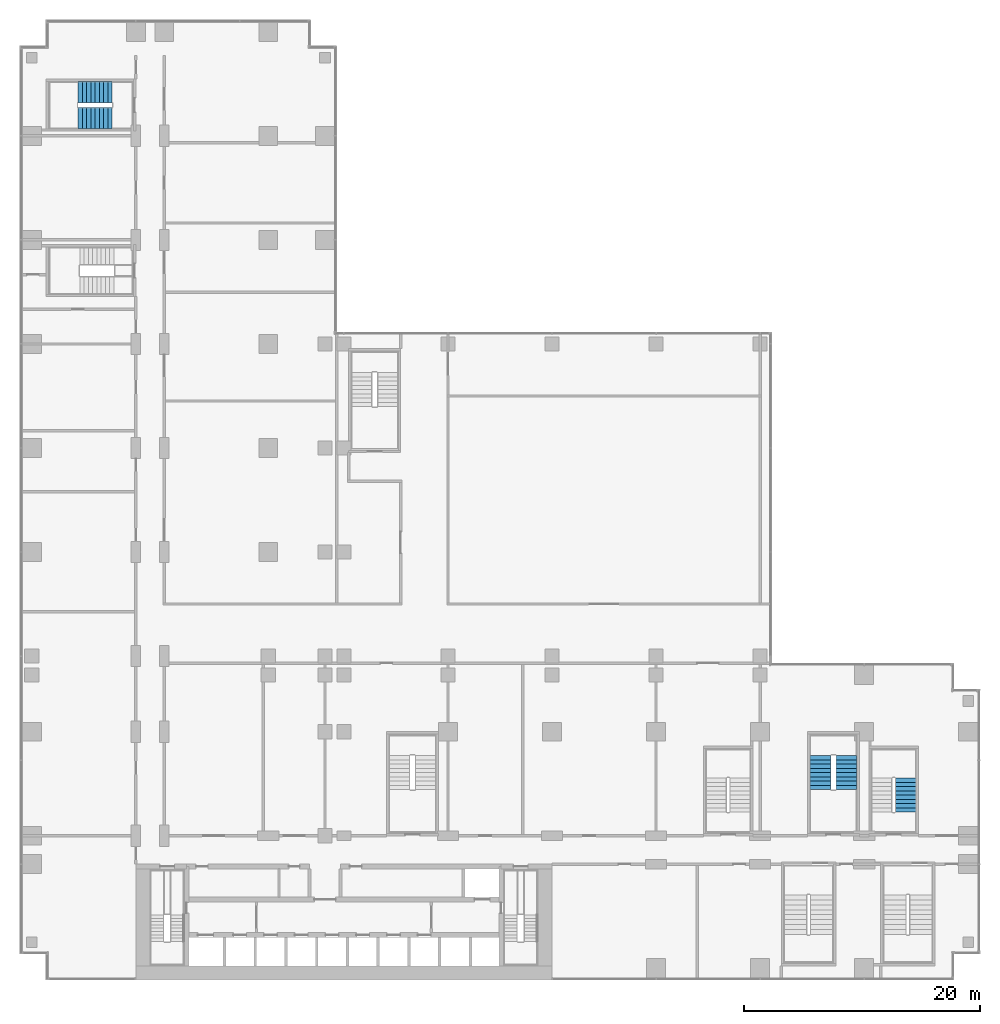
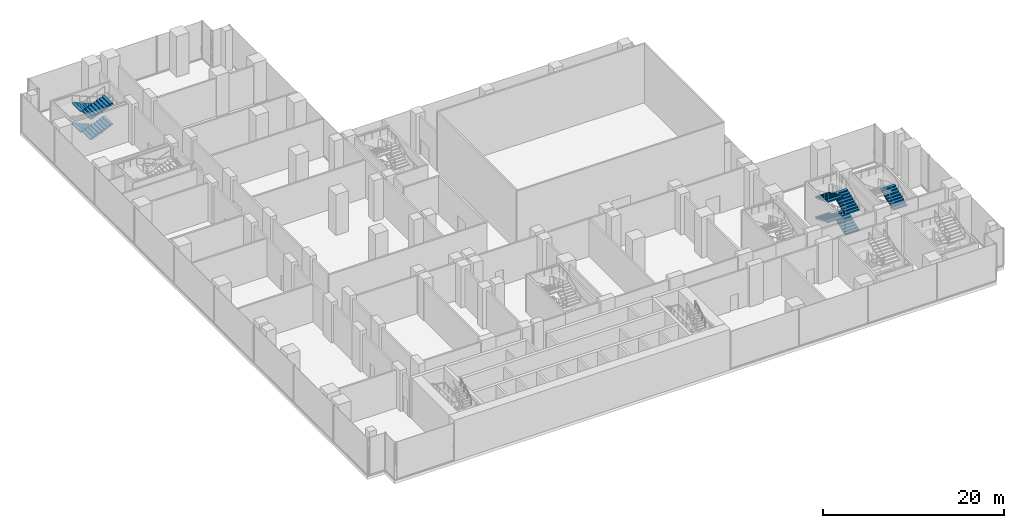
# One storey, part 24 of 30: 9 stair flights, 3 elements without a shape of their own.
"""IFC4 building model written with IfcOpenShell, lengths in metres."""

from ifc_helpers import new_model, si_unit, direction, frame, origin, place, context, subcontext, project, spatial, polyline, outline, extrude, material, type_object, element, aggregate, save


model = new_model("IFC4")

# Units and contexts
model_context = context("Model", 3, precision=1e-05, world=origin(), true_north=direction((0.0, 1.0)))
body_context = subcontext(model_context, "Body", "Model", "MODEL_VIEW")
ifc_project = project(units=[si_unit("LENGTHUNIT", "METRE"), si_unit("AREAUNIT", "SQUARE_METRE"), si_unit("VOLUMEUNIT", "CUBIC_METRE"), si_unit("PLANEANGLEUNIT", "RADIAN"), si_unit("MASSUNIT", "GRAM", prefix="KILO")], contexts=[model_context])

# Site, building, storey
site_placement = place(None, origin())
site = spatial("IfcSite", under=ifc_project, at=site_placement, CompositionType="ELEMENT")
building_placement = place(site_placement, origin())
building = spatial("IfcBuilding", under=site, at=building_placement, Name="Kemantara Hotel Tower", CompositionType="ELEMENT")
storey_placement = place(building_placement, frame((0.0, 0.0, 18.0)))
storey = spatial("IfcBuildingStorey", under=building, at=storey_placement, Name="L03", CompositionType="ELEMENT", Elevation=18.0)

# Stair, stair flight
ifc_material = material(Name="Concrete fc 40 MPa", Category="concrete")
stair_type = type_object("IfcStairType", Name="Stair 1800 wide 36 risers of 153 x 360 mm", PredefinedType="HALF_TURN_STAIR", material=ifc_material)
stair_1_placement = place(storey_placement, origin())
stair_1 = element("IfcStair", 1, at=stair_1_placement, inside=storey, type_object=stair_type, Name="L03 Exit stair ST5", PredefinedType="HALF_TURN_STAIR")
stair_flight_type = type_object("IfcStairFlightType", Name="Stair flight 1800 wide 153 x 360 mm", PredefinedType="STRAIGHT", material=ifc_material)
stair_flight_1_placement = place(storey_placement, frame((74.89990234375, 14.199951171875, 2.75), z_axis=(0.0, 0.0, 1.0), x_axis=(0.0, 1.0, 0.0)))
stair_flight_1 = element("IfcStairFlight", 2, at=stair_flight_1_placement, type_object=stair_flight_type, Name="ST5 flight 3", NumberOfRisers=9, NumberOfTreads=8, PredefinedType="STRAIGHT", RiserHeight=0.152777778, TreadLength=0.36, context=body_context, shape_type="SweptSolid", body=[
    extrude(outline(polyline([(0.0, 0.0), (0.0, 0.15283203125), (0.360107421875, 0.15283203125), (0.360107421875, 0.3056640625), (0.719970703125, 0.3056640625), (0.719970703125, 0.458251953125), (1.080078125, 0.458251953125), (1.080078125, 0.611083984375), (1.43994140625, 0.611083984375), (1.43994140625, 0.763916015625), (1.800048828125, 0.763916015625), (1.800048828125, 0.916748046875), (2.159912109375, 0.916748046875), (2.159912109375, 1.0693359375), (2.52001953125, 1.0693359375), (2.52001953125, 1.22216796875), (2.8798828125, 1.22216796875), (2.8798828125, 1.375), (2.8798828125, 1.059326171875), (0.3837890625, 0.0), (0.0, 0.0)])), frame((0.0, 0.89990234375, 0.0), z_axis=(0.0, -1.0, 0.0), x_axis=(1.0, 0.0, 0.0)), (0.0, 0.0, 1.0), 1.800048828125),
])
aggregate(stair_1, [stair_flight_1])

# Stair, stair flights
stair_2_placement = place(storey_placement, origin())
stair_2 = element("IfcStair", 3, at=stair_2_placement, inside=storey, type_object=stair_type, Name="L03 Exit stair ST6", PredefinedType="HALF_TURN_STAIR")
stair_flight_2_placement = place(storey_placement, frame((7.800048828125, 75.10009765625, 0.0), z_axis=(0.0, 0.0, 1.0), x_axis=(-1.0, 0.0, 0.0)))
stair_flight_2 = element("IfcStairFlight", 4, at=stair_flight_2_placement, type_object=stair_flight_type, Name="ST6 flight 1", NumberOfRisers=9, NumberOfTreads=8, PredefinedType="STRAIGHT", RiserHeight=0.152777778, TreadLength=0.36, context=body_context, shape_type="SweptSolid", body=[
    extrude(outline(polyline([(0.0, 0.0), (0.0, 0.15283203125), (0.360107421875, 0.15283203125), (0.360107421875, 0.3056640625), (0.719970703125, 0.3056640625), (0.719970703125, 0.458251953125), (1.080078125, 0.458251953125), (1.080078125, 0.611083984375), (1.43994140625, 0.611083984375), (1.43994140625, 0.763916015625), (1.800048828125, 0.763916015625), (1.800048828125, 0.916748046875), (2.159912109375, 0.916748046875), (2.159912109375, 1.0693359375), (2.52001953125, 1.0693359375), (2.52001953125, 1.22216796875), (2.8798828125, 1.22216796875), (2.8798828125, 1.375), (2.8798828125, 1.059326171875), (0.3837890625, 0.0), (0.0, 0.0)])), frame((0.0, 0.89990234375, 0.0), z_axis=(0.0, -1.0, 0.0), x_axis=(1.0, 0.0, 0.0)), (0.0, 0.0, 1.0), 1.800048828125),
])
stair_flight_3_placement = place(storey_placement, frame((4.919921875, 72.89990234375, 1.375), z_axis=(0.0, 0.0, 1.0), x_axis=(1.0, 0.0, 0.0)))
stair_flight_3 = element("IfcStairFlight", 5, at=stair_flight_3_placement, type_object=stair_flight_type, Name="ST6 flight 2", NumberOfRisers=9, NumberOfTreads=8, PredefinedType="STRAIGHT", RiserHeight=0.152777778, TreadLength=0.36, context=body_context, shape_type="SweptSolid", body=[
    extrude(outline(polyline([(0.0, 0.0), (0.0, 0.15283203125), (0.360107421875, 0.15283203125), (0.360107421875, 0.3056640625), (0.719970703125, 0.3056640625), (0.719970703125, 0.458251953125), (1.080078125, 0.458251953125), (1.080078125, 0.611083984375), (1.43994140625, 0.611083984375), (1.43994140625, 0.763916015625), (1.800048828125, 0.763916015625), (1.800048828125, 0.916748046875), (2.159912109375, 0.916748046875), (2.159912109375, 1.0693359375), (2.52001953125, 1.0693359375), (2.52001953125, 1.22216796875), (2.8798828125, 1.22216796875), (2.8798828125, 1.375), (2.8798828125, 1.059326171875), (0.3837890625, 0.0), (0.0, 0.0)])), frame((0.0, 0.89990234375, 0.0), z_axis=(0.0, -1.0, 0.0), x_axis=(1.0, 0.0, 0.0)), (0.0, 0.0, 1.0), 1.800048828125),
])
stair_flight_4_placement = place(storey_placement, frame((7.800048828125, 75.10009765625, 2.75), z_axis=(0.0, 0.0, 1.0), x_axis=(-1.0, 0.0, 0.0)))
stair_flight_4 = element("IfcStairFlight", 6, at=stair_flight_4_placement, type_object=stair_flight_type, Name="ST6 flight 3", NumberOfRisers=9, NumberOfTreads=8, PredefinedType="STRAIGHT", RiserHeight=0.152777778, TreadLength=0.36, context=body_context, shape_type="SweptSolid", body=[
    extrude(outline(polyline([(0.0, 0.0), (0.0, 0.15283203125), (0.360107421875, 0.15283203125), (0.360107421875, 0.3056640625), (0.719970703125, 0.3056640625), (0.719970703125, 0.458251953125), (1.080078125, 0.458251953125), (1.080078125, 0.611083984375), (1.43994140625, 0.611083984375), (1.43994140625, 0.763916015625), (1.800048828125, 0.763916015625), (1.800048828125, 0.916748046875), (2.159912109375, 0.916748046875), (2.159912109375, 1.0693359375), (2.52001953125, 1.0693359375), (2.52001953125, 1.22216796875), (2.8798828125, 1.22216796875), (2.8798828125, 1.375), (2.8798828125, 1.059326171875), (0.3837890625, 0.0), (0.0, 0.0)])), frame((0.0, 0.89990234375, 0.0), z_axis=(0.0, -1.0, 0.0), x_axis=(1.0, 0.0, 0.0)), (0.0, 0.0, 1.0), 1.800048828125),
])
stair_flight_5_placement = place(storey_placement, frame((4.919921875, 72.89990234375, 4.125), z_axis=(0.0, 0.0, 1.0), x_axis=(1.0, 0.0, 0.0)))
stair_flight_5 = element("IfcStairFlight", 7, at=stair_flight_5_placement, type_object=stair_flight_type, Name="ST6 flight 4", NumberOfRisers=9, NumberOfTreads=8, PredefinedType="STRAIGHT", RiserHeight=0.152777778, TreadLength=0.36, context=body_context, shape_type="SweptSolid", body=[
    extrude(outline(polyline([(0.0, 0.0), (0.0, 0.15283203125), (0.360107421875, 0.15283203125), (0.360107421875, 0.3056640625), (0.719970703125, 0.3056640625), (0.719970703125, 0.458251953125), (1.080078125, 0.458251953125), (1.080078125, 0.611083984375), (1.43994140625, 0.611083984375), (1.43994140625, 0.763916015625), (1.800048828125, 0.763916015625), (1.800048828125, 0.916748046875), (2.159912109375, 0.916748046875), (2.159912109375, 1.0693359375), (2.52001953125, 1.0693359375), (2.52001953125, 1.22216796875), (2.8798828125, 1.22216796875), (2.8798828125, 1.375), (2.8798828125, 1.059326171875), (0.3837890625, 0.0), (0.0, 0.0)])), frame((0.0, 0.89990234375, 0.0), z_axis=(0.0, -1.0, 0.0), x_axis=(1.0, 0.0, 0.0)), (0.0, 0.0, 1.0), 1.800048828125),
])
aggregate(stair_2, [stair_flight_2, stair_flight_3, stair_flight_4, stair_flight_5])

stair_3_placement = place(storey_placement, origin())
stair_3 = element("IfcStair", 8, at=stair_3_placement, inside=storey, type_object=stair_type, Name="L03 Stair PS1", PredefinedType="HALF_TURN_STAIR")
stair_flight_6_placement = place(storey_placement, frame((69.89990234375, 16.10009765625, 0.0), z_axis=(0.0, 0.0, 1.0), x_axis=(0.0, 1.0, 0.0)))
stair_flight_6 = element("IfcStairFlight", 9, at=stair_flight_6_placement, type_object=stair_flight_type, Name="PS1 flight 1", NumberOfRisers=9, NumberOfTreads=8, PredefinedType="STRAIGHT", RiserHeight=0.152777778, TreadLength=0.36, context=body_context, shape_type="SweptSolid", body=[
    extrude(outline(polyline([(0.0, 0.0), (0.0, 0.15283203125), (0.360107421875, 0.15283203125), (0.360107421875, 0.3056640625), (0.719970703125, 0.3056640625), (0.719970703125, 0.458251953125), (1.080078125, 0.458251953125), (1.080078125, 0.611083984375), (1.43994140625, 0.611083984375), (1.43994140625, 0.763916015625), (1.800048828125, 0.763916015625), (1.800048828125, 0.916748046875), (2.159912109375, 0.916748046875), (2.159912109375, 1.0693359375), (2.52001953125, 1.0693359375), (2.52001953125, 1.22216796875), (2.8798828125, 1.22216796875), (2.8798828125, 1.375), (2.8798828125, 1.059326171875), (0.3837890625, 0.0), (0.0, 0.0)])), frame((0.0, 0.89990234375, 0.0), z_axis=(0.0, -1.0, 0.0), x_axis=(1.0, 0.0, 0.0)), (0.0, 0.0, 1.0), 1.800048828125),
])
stair_flight_7_placement = place(storey_placement, frame((67.699951171875, 18.97998046875, 1.375), z_axis=(0.0, 0.0, 1.0), x_axis=(0.0, -1.0, 0.0)))
stair_flight_7 = element("IfcStairFlight", 10, at=stair_flight_7_placement, type_object=stair_flight_type, Name="PS1 flight 2", NumberOfRisers=9, NumberOfTreads=8, PredefinedType="STRAIGHT", RiserHeight=0.152777778, TreadLength=0.36, context=body_context, shape_type="SweptSolid", body=[
    extrude(outline(polyline([(0.0, 0.0), (0.0, 0.15283203125), (0.360107421875, 0.15283203125), (0.360107421875, 0.3056640625), (0.719970703125, 0.3056640625), (0.719970703125, 0.458251953125), (1.080078125, 0.458251953125), (1.080078125, 0.611083984375), (1.43994140625, 0.611083984375), (1.43994140625, 0.763916015625), (1.800048828125, 0.763916015625), (1.800048828125, 0.916748046875), (2.159912109375, 0.916748046875), (2.159912109375, 1.0693359375), (2.52001953125, 1.0693359375), (2.52001953125, 1.22216796875), (2.8798828125, 1.22216796875), (2.8798828125, 1.375), (2.8798828125, 1.059326171875), (0.3837890625, 0.0), (0.0, 0.0)])), frame((0.0, 0.89990234375, 0.0), z_axis=(0.0, -1.0, 0.0), x_axis=(1.0, 0.0, 0.0)), (0.0, 0.0, 1.0), 1.800048828125),
])
stair_flight_8_placement = place(storey_placement, frame((69.89990234375, 16.10009765625, 2.75), z_axis=(0.0, 0.0, 1.0), x_axis=(0.0, 1.0, 0.0)))
stair_flight_8 = element("IfcStairFlight", 11, at=stair_flight_8_placement, type_object=stair_flight_type, Name="PS1 flight 3", NumberOfRisers=9, NumberOfTreads=8, PredefinedType="STRAIGHT", RiserHeight=0.152777778, TreadLength=0.36, context=body_context, shape_type="SweptSolid", body=[
    extrude(outline(polyline([(0.0, 0.0), (0.0, 0.15283203125), (0.360107421875, 0.15283203125), (0.360107421875, 0.3056640625), (0.719970703125, 0.3056640625), (0.719970703125, 0.458251953125), (1.080078125, 0.458251953125), (1.080078125, 0.611083984375), (1.43994140625, 0.611083984375), (1.43994140625, 0.763916015625), (1.800048828125, 0.763916015625), (1.800048828125, 0.916748046875), (2.159912109375, 0.916748046875), (2.159912109375, 1.0693359375), (2.52001953125, 1.0693359375), (2.52001953125, 1.22216796875), (2.8798828125, 1.22216796875), (2.8798828125, 1.375), (2.8798828125, 1.059326171875), (0.3837890625, 0.0), (0.0, 0.0)])), frame((0.0, 0.89990234375, 0.0), z_axis=(0.0, -1.0, 0.0), x_axis=(1.0, 0.0, 0.0)), (0.0, 0.0, 1.0), 1.800048828125),
])
stair_flight_9_placement = place(storey_placement, frame((67.699951171875, 18.97998046875, 4.125), z_axis=(0.0, 0.0, 1.0), x_axis=(0.0, -1.0, 0.0)))
stair_flight_9 = element("IfcStairFlight", 12, at=stair_flight_9_placement, type_object=stair_flight_type, Name="PS1 flight 4", NumberOfRisers=9, NumberOfTreads=8, PredefinedType="STRAIGHT", RiserHeight=0.152777778, TreadLength=0.36, context=body_context, shape_type="SweptSolid", body=[
    extrude(outline(polyline([(0.0, 0.0), (0.0, 0.15283203125), (0.360107421875, 0.15283203125), (0.360107421875, 0.3056640625), (0.719970703125, 0.3056640625), (0.719970703125, 0.458251953125), (1.080078125, 0.458251953125), (1.080078125, 0.611083984375), (1.43994140625, 0.611083984375), (1.43994140625, 0.763916015625), (1.800048828125, 0.763916015625), (1.800048828125, 0.916748046875), (2.159912109375, 0.916748046875), (2.159912109375, 1.0693359375), (2.52001953125, 1.0693359375), (2.52001953125, 1.22216796875), (2.8798828125, 1.22216796875), (2.8798828125, 1.375), (2.8798828125, 1.059326171875), (0.3837890625, 0.0), (0.0, 0.0)])), frame((0.0, 0.89990234375, 0.0), z_axis=(0.0, -1.0, 0.0), x_axis=(1.0, 0.0, 0.0)), (0.0, 0.0, 1.0), 1.800048828125),
])
aggregate(stair_3, [stair_flight_6, stair_flight_7, stair_flight_8, stair_flight_9])

save(model, "model.ifc")
